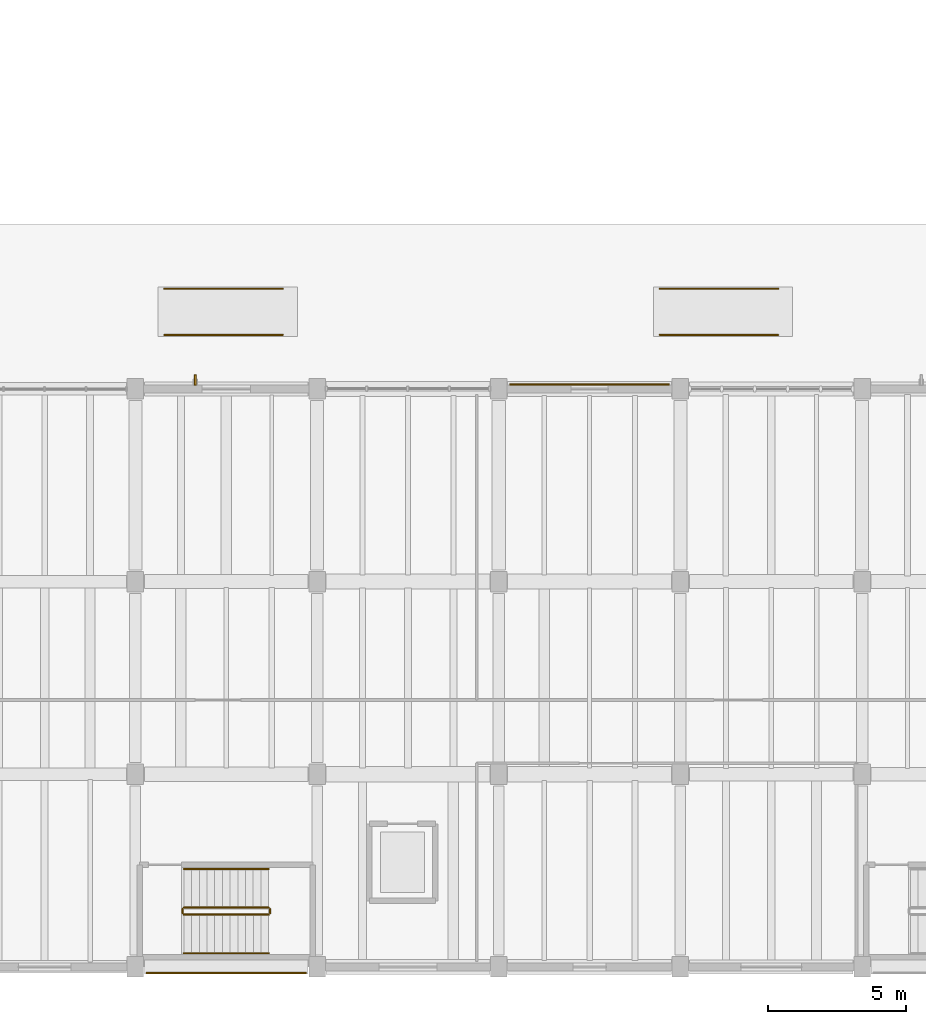
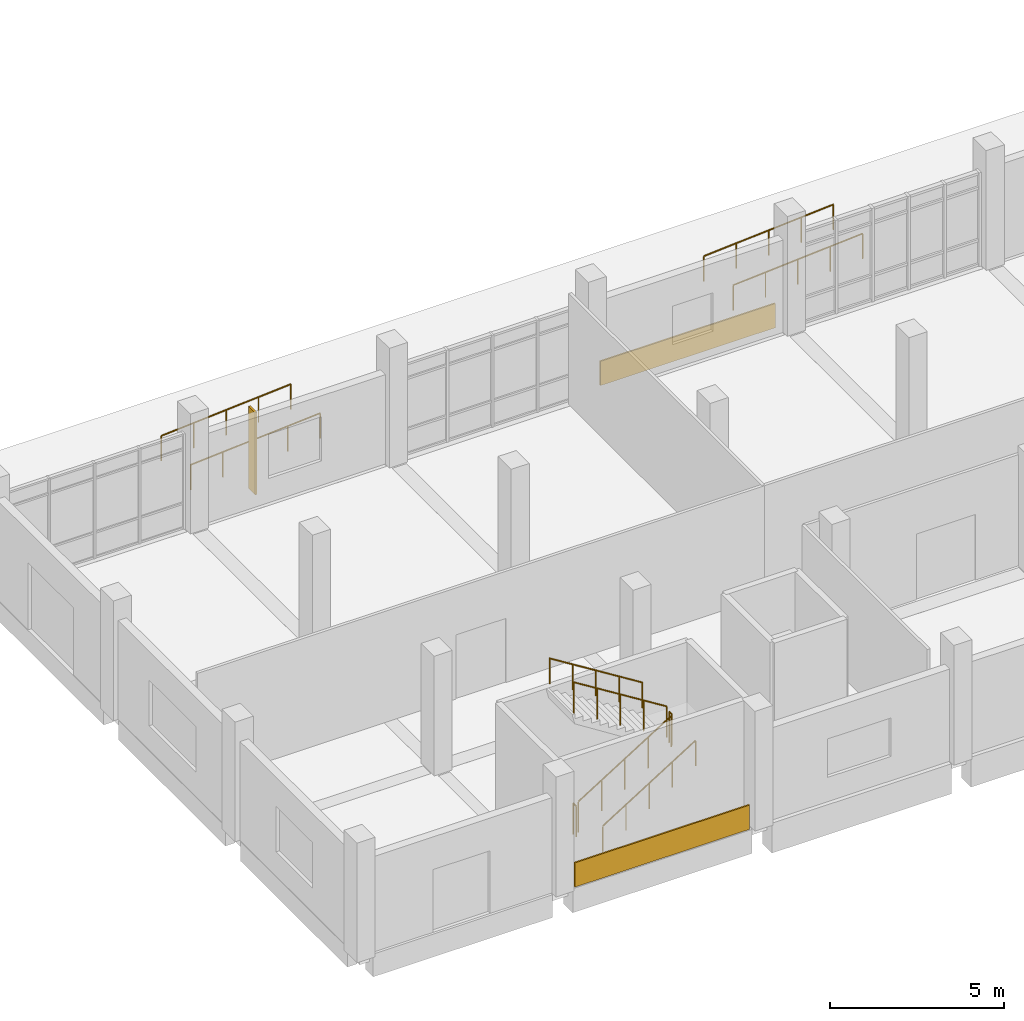
# One storey, part 59 of 69: 10 railings, 2 coverings, 1 shading device.
"""IFC4 building model written with IfcOpenShell, lengths in metres."""

from ifc_helpers import new_model, si_unit, direction, frame, origin, origin_2d, place, context, subcontext, project, spatial, rectangle, circle, extrude, material, layer, layer_set, material_profile, profile_set, type_object, element, save


model = new_model("IFC4")

# Units and contexts
model_context = context("Model", 3, precision=1e-05, world=origin(), true_north=direction((0.0, 1.0)))
body_context = subcontext(model_context, "Body", "Model", "MODEL_VIEW")
ifc_project = project(units=[si_unit("LENGTHUNIT", "METRE"), si_unit("AREAUNIT", "SQUARE_METRE"), si_unit("VOLUMEUNIT", "CUBIC_METRE"), si_unit("PLANEANGLEUNIT", "RADIAN"), si_unit("MASSUNIT", "GRAM", prefix="KILO")], contexts=[model_context])

# Site, building, storey
site_placement = place(None, origin())
site = spatial("IfcSite", under=ifc_project, at=site_placement, CompositionType="ELEMENT")
building_placement = place(site_placement, origin())
building = spatial("IfcBuilding", under=site, at=building_placement, Name="Ciguamira Faculty of Natural Sciences", CompositionType="ELEMENT")
storey_placement = place(building_placement, origin())
storey = spatial("IfcBuildingStorey", under=building, at=storey_placement, Name="L00", CompositionType="ELEMENT", Elevation=0.0)

# Coverings
ifc_material_1 = material(Name="Precast concrete C40/50", Category="concrete")
ifc_layer = layer(ifc_material_1, 0.050048828125, Name="Precast concrete C40/50")
ifc_layer_set = layer_set([ifc_layer], Name="Precast concrete C40/50")
covering_type = type_object("IfcCoveringType", Name="Cladding_CL01", PredefinedType="CLADDING", material=ifc_layer_set)
for number, where, z_axis, x_axis, name in (
    (1, (14.39990234375, 2.77587890625, 0.02490234375), (0.0, 0.0, 1.0), (1.0, 0.0, 0.0), "L00 precast concrete spandrel cladding 001"),
    (2, (27.60009765625, 24.1640625, 0.02490234375), (0.0, 0.0, 1.0), (1.0, 0.0, 0.0), "L00 precast concrete spandrel cladding 005"),
):
    element("IfcCovering", number, at=place(storey_placement, frame(where, z_axis=z_axis, x_axis=x_axis)), inside=storey, type_object=covering_type, Name=name, PredefinedType="CLADDING", context=body_context, shape_type="SweptSolid", body=[
        extrude(rectangle(XDim=5.800048828125, YDim=0.050048828125, at=origin_2d()), origin(), (0.0, 0.0, 1.0), 0.85009765625),
    ])

# Railings
ifc_material_2 = material(Name="Stainless steel balustrade", Category="steel")
railing_type_1 = type_object("IfcRailingType", Name="Guardrail_GR01", PredefinedType="GUARDRAIL", material=ifc_material_2)
railing_1_placement = place(storey_placement, frame((12.860107421875, 4.89990234375, 0.175048828125)))
element("IfcRailing", 3, at=railing_1_placement, inside=storey, type_object=railing_type_1, Name="L00 ST-C1 stair guard 1", PredefinedType="GUARDRAIL", context=body_context, shape_type="SweptSolid", body=[
    extrude(circle(Radius=0.02392578125, at=origin_2d()), frame((0.0, 0.0, 1.076171875), z_axis=(0.847979421464, 0.0, 0.530029150871), x_axis=(0.0, 1.0, 0.0)), (0.0, 0.0, 1.0), 3.632080078125),
    extrude(circle(Radius=0.02099609375, at=origin_2d()), origin(), (0.0, 0.0, 1.0), 1.052001953125),
    extrude(circle(Radius=0.02099609375, at=origin_2d()), frame((0.77001953125, 0.0, 0.481201171875)), (0.0, 0.0, 1.0), 1.052001953125),
    extrude(circle(Radius=0.02099609375, at=origin_2d()), frame((1.5400390625, 0.0, 0.96240234375)), (0.0, 0.0, 1.0), 1.052001953125),
    extrude(circle(Radius=0.02099609375, at=origin_2d()), frame((2.309814453125, 0.0, 1.44384765625)), (0.0, 0.0, 1.0), 1.052001953125),
    extrude(circle(Radius=0.02099609375, at=origin_2d()), frame((3.079833984375, 0.0, 1.925048828125)), (0.0, 0.0, 1.0), 1.052001953125),
])
railing_2_placement = place(storey_placement, frame((15.989990234375, 4.949951171875, 2.10009765625)))
element("IfcRailing", 4, at=railing_2_placement, inside=storey, type_object=railing_type_1, Name="L00 ST-C1 stair guard 2", PredefinedType="GUARDRAIL", context=body_context, shape_type="SweptSolid", body=[
    extrude(circle(Radius=0.02392578125, at=origin_2d()), frame((0.0, 0.0, 1.076171875), z_axis=(0.0, 1.0, 0.0), x_axis=(-1.0, 0.0, 0.0)), (0.0, 0.0, 1.0), 0.16015625),
    extrude(circle(Radius=0.02099609375, at=origin_2d()), origin(), (0.0, 0.0, 1.0), 1.052001953125),
    extrude(circle(Radius=0.02099609375, at=origin_2d()), frame((0.0, 0.16015625, 0.0)), (0.0, 0.0, 1.0), 1.052001953125),
])
railing_3_placement = place(storey_placement, frame((15.93994140625, 5.159912109375, 2.27490234375)))
element("IfcRailing", 5, at=railing_3_placement, inside=storey, type_object=railing_type_1, Name="L00 ST-C1 stair guard 3", PredefinedType="GUARDRAIL", context=body_context, shape_type="SweptSolid", body=[
    extrude(circle(Radius=0.02392578125, at=origin_2d()), frame((0.0, 0.0, 1.076171875), z_axis=(-0.847979421464, 0.0, 0.530029150871), x_axis=(0.0, -1.0, 0.0)), (0.0, 0.0, 1.0), 3.632080078125),
    extrude(circle(Radius=0.02099609375, at=origin_2d()), origin(), (0.0, 0.0, 1.0), 1.052001953125),
    extrude(circle(Radius=0.02099609375, at=origin_2d()), frame((-0.77001953125, 0.0, 0.481201171875)), (0.0, 0.0, 1.0), 1.052001953125),
    extrude(circle(Radius=0.02099609375, at=origin_2d()), frame((-1.5400390625, 0.0, 0.96240234375)), (0.0, 0.0, 1.0), 1.052001953125),
    extrude(circle(Radius=0.02099609375, at=origin_2d()), frame((-2.309814453125, 0.0, 1.44384765625)), (0.0, 0.0, 1.0), 1.052001953125),
    extrude(circle(Radius=0.02099609375, at=origin_2d()), frame((-3.079833984375, 0.0, 1.925048828125)), (0.0, 0.0, 1.0), 1.052001953125),
])
railing_4_placement = place(storey_placement, frame((12.81005859375, 4.949951171875, 0.0)))
element("IfcRailing", 6, at=railing_4_placement, inside=storey, type_object=railing_type_1, Name="L00 ST-C1 stair guard 4", PredefinedType="GUARDRAIL", context=body_context, shape_type="SweptSolid", body=[
    extrude(circle(Radius=0.02392578125, at=origin_2d()), frame((0.0, 0.0, 1.076171875), z_axis=(0.0, 1.0, 0.0), x_axis=(-1.0, 0.0, 0.0)), (0.0, 0.0, 1.0), 0.16015625),
    extrude(circle(Radius=0.02099609375, at=origin_2d()), origin(), (0.0, 0.0, 1.0), 1.052001953125),
    extrude(circle(Radius=0.02099609375, at=origin_2d()), frame((0.0, 0.16015625, 0.0)), (0.0, 0.0, 1.0), 1.052001953125),
])
ifc_material_3 = material(Name="Stainless steel handrail", Category="steel")
railing_type_2 = type_object("IfcRailingType", Name="Handrail_HR01", PredefinedType="HANDRAIL", material=ifc_material_3)
for number, where, name in (
    (7, (30.14990234375, 25.9599609375, -0.340087890625), "South Forecourt Accessible Ramp West handrail 1"),
    (8, (30.14990234375, 27.639892578125, -0.340087890625), "South Forecourt Accessible Ramp West handrail 2"),
    (9, (12.14990234375, 25.9599609375, -0.340087890625), "West Commons Promenade Accessible Ramp handrail 1"),
    (10, (12.14990234375, 27.639892578125, -0.340087890625), "West Commons Promenade Accessible Ramp handrail 2"),
):
    element("IfcRailing", number, at=place(storey_placement, frame(where)), inside=storey, type_object=railing_type_2, Name=name, PredefinedType="HANDRAIL", context=body_context, shape_type="SweptSolid", body=[
        extrude(circle(Radius=0.02392578125, at=origin_2d()), frame((0.0, 0.0, 0.8759765625), z_axis=(0.997442864568, 0.0, 0.071468398063), x_axis=(0.0, 1.0, 0.0)), (0.0, 0.0, 1.0), 4.31103515625),
        extrude(circle(Radius=0.02099609375, at=origin_2d()), origin(), (0.0, 0.0, 1.0), 0.851806640625),
        extrude(circle(Radius=0.02099609375, at=origin_2d()), frame((1.074951171875, 0.0, 0.0771484375)), (0.0, 0.0, 1.0), 0.851806640625),
        extrude(circle(Radius=0.02099609375, at=origin_2d()), frame((2.14990234375, 0.0, 0.154052734375)), (0.0, 0.0, 1.0), 0.851806640625),
        extrude(circle(Radius=0.02099609375, at=origin_2d()), frame((3.22509765625, 0.0, 0.23095703125)), (0.0, 0.0, 1.0), 0.851806640625),
        extrude(circle(Radius=0.02099609375, at=origin_2d()), frame((4.300048828125, 0.0, 0.30810546875)), (0.0, 0.0, 1.0), 0.851806640625),
    ])
railing_5_placement = place(storey_placement, frame((12.860107421875, 3.5, 0.35009765625)))
element("IfcRailing", 11, at=railing_5_placement, inside=storey, type_object=railing_type_2, Name="L00 ST-C1 stair handrail 1", PredefinedType="HANDRAIL", context=body_context, shape_type="SweptSolid", body=[
    extrude(circle(Radius=0.02392578125, at=origin_2d()), frame((0.0, 0.0, 0.89111328125), z_axis=(0.848009633417, 0.0, 0.529980812513), x_axis=(0.0, 1.0, 0.0)), (0.0, 0.0, 1.0), 3.6318359375),
    extrude(circle(Radius=0.02099609375, at=origin_2d()), origin(), (0.0, 0.0, 1.0), 0.866943359375),
    extrude(circle(Radius=0.02099609375, at=origin_2d()), frame((0.77001953125, 0.0, 0.481201171875)), (0.0, 0.0, 1.0), 0.866943359375),
    extrude(circle(Radius=0.02099609375, at=origin_2d()), frame((1.5400390625, 0.0, 0.96240234375)), (0.0, 0.0, 1.0), 0.866943359375),
    extrude(circle(Radius=0.02099609375, at=origin_2d()), frame((2.309814453125, 0.0, 1.443603515625)), (0.0, 0.0, 1.0), 0.866943359375),
    extrude(circle(Radius=0.02099609375, at=origin_2d()), frame((3.079833984375, 0.0, 1.9248046875)), (0.0, 0.0, 1.0), 0.866943359375),
])
railing_6_placement = place(storey_placement, frame((15.93994140625, 6.56005859375, 2.449951171875)))
element("IfcRailing", 12, at=railing_6_placement, inside=storey, type_object=railing_type_2, Name="L00 ST-C1 stair handrail 2", PredefinedType="HANDRAIL", context=body_context, shape_type="SweptSolid", body=[
    extrude(circle(Radius=0.02392578125, at=origin_2d()), frame((0.0, 0.0, 0.89111328125), z_axis=(-0.847979421464, 0.0, 0.530029150871), x_axis=(0.0, -1.0, 0.0)), (0.0, 0.0, 1.0), 3.632080078125),
    extrude(circle(Radius=0.02099609375, at=origin_2d()), origin(), (0.0, 0.0, 1.0), 0.866943359375),
    extrude(circle(Radius=0.02099609375, at=origin_2d()), frame((-0.77001953125, 0.0, 0.481201171875)), (0.0, 0.0, 1.0), 0.866943359375),
    extrude(circle(Radius=0.02099609375, at=origin_2d()), frame((-1.5400390625, 0.0, 0.96240234375)), (0.0, 0.0, 1.0), 0.866943359375),
    extrude(circle(Radius=0.02099609375, at=origin_2d()), frame((-2.309814453125, 0.0, 1.44384765625)), (0.0, 0.0, 1.0), 0.866943359375),
    extrude(circle(Radius=0.02099609375, at=origin_2d()), frame((-3.079833984375, 0.0, 1.925048828125)), (0.0, 0.0, 1.0), 0.866943359375),
])

# Shading device
ifc_material_4 = material(Name="Anodized bronze sunshade fin")
ifc_material_profile = material_profile(ifc_material_4, rectangle(XDim=0.06494140625, YDim=0.3798828125, at=origin_2d()), Name="BRZ-FIN-65X380")
ifc_profile_set = profile_set([ifc_material_profile], Name="Anodized bronze sunshade fin")
shading_device_type = type_object("IfcShadingDeviceType", Name="SunFin_SF01", PredefinedType="USERDEFINED", material=ifc_profile_set)
shading_device_placement = place(storey_placement, frame((13.27490234375, 24.330078125, 0.199951171875), z_axis=(0.0, 0.0, 1.0), x_axis=(1.0, 0.0, 0.0)))
element("IfcShadingDevice", 13, at=shading_device_placement, inside=storey, type_object=shading_device_type, Name="L00 bronze vertical sunshade fin 0001", ObjectType="SUNSHADE FIN", PredefinedType="USERDEFINED", context=body_context, shape_type="SweptSolid", body=[
    extrude(rectangle(XDim=0.06494140625, YDim=0.3798828125, at=origin_2d()), origin(), (0.0, 0.0, 1.0), 2.885009765625),
])

save(model, "model.ifc")
